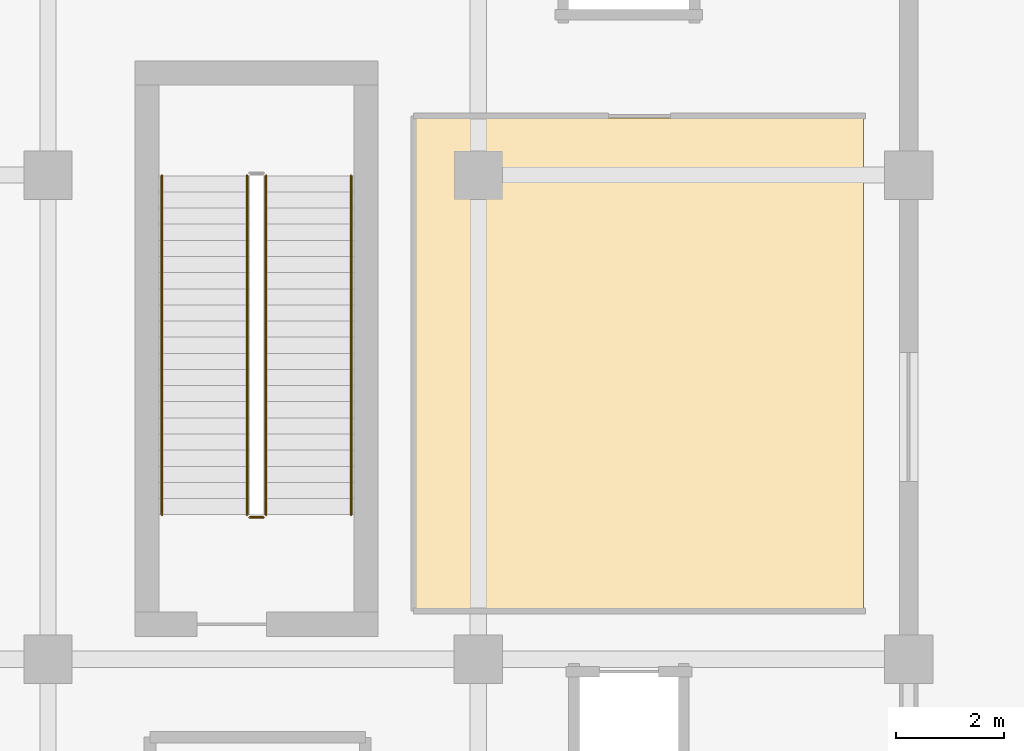
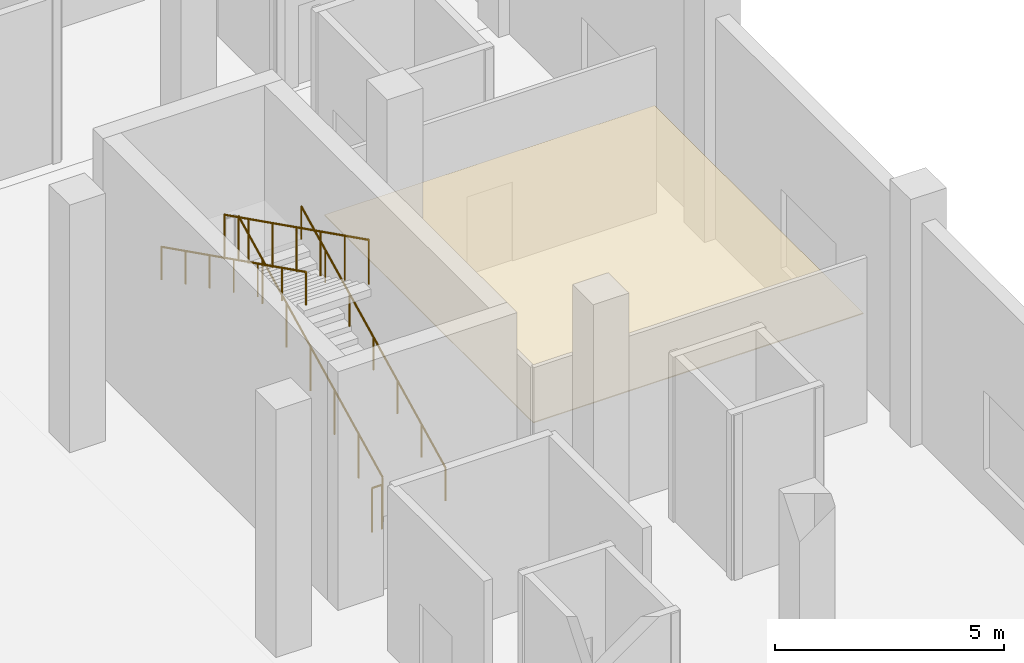
# One storey, part 61 of 65: 5 railings, 1 covering.
"""IFC4 building model written with IfcOpenShell, lengths in metres."""

from ifc_helpers import new_model, si_unit, direction, frame, origin, origin_2d, place, context, subcontext, project, spatial, polyline, circle, outline, extrude, material, layer, layer_set, type_object, element, save


model = new_model("IFC4")

# Units and contexts
model_context = context("Model", 3, precision=1e-05, world=origin(), true_north=direction((0.0, 1.0)))
body_context = subcontext(model_context, "Body", "Model", "MODEL_VIEW")
ifc_project = project(units=[si_unit("LENGTHUNIT", "METRE"), si_unit("AREAUNIT", "SQUARE_METRE"), si_unit("VOLUMEUNIT", "CUBIC_METRE"), si_unit("PLANEANGLEUNIT", "RADIAN"), si_unit("MASSUNIT", "GRAM", prefix="KILO")], contexts=[model_context])

# Site, building, storey
site_placement = place(None, origin())
site = spatial("IfcSite", under=ifc_project, at=site_placement, CompositionType="ELEMENT")
building_placement = place(site_placement, origin())
building = spatial("IfcBuilding", under=site, at=building_placement, Name="Chuanluo Vaults Station", CompositionType="ELEMENT")
storey_placement = place(building_placement, origin())
storey = spatial("IfcBuildingStorey", under=building, at=storey_placement, Name="L00", CompositionType="ELEMENT", Elevation=0.0)

# Covering
ifc_material_1 = material(Name="Acoustic mineral-fibre tile")
ifc_layer = layer(ifc_material_1, 0.02490234375)
ifc_layer_set = layer_set([ifc_layer], Name="Acoustic mineral-fibre tile")
covering_type = type_object("IfcCoveringType", Name="COV-CEIL-TILE", PredefinedType="CEILING", material=ifc_layer_set)
covering_placement = place(storey_placement, frame((0.0, 0.0, 2.85009765625)))
element("IfcCovering", 1, at=covering_placement, inside=storey, type_object=covering_type, Name="L00-31 suspended acoustic ceiling", PredefinedType="CEILING", context=body_context, shape_type="SweptSolid", body=[
    extrude(outline(polyline([(178.840087890625, 86.43994140625), (187.159912109375, 86.43994140625), (187.159912109375, 95.56005859375), (178.840087890625, 95.56005859375), (178.840087890625, 86.43994140625)])), origin(), (0.0, 0.0, 1.0), 0.02490234375),
])

# Railings
ifc_material_2 = material(Name="Tempered laminated balustrade glass", Category="glass")
railing_type_1 = type_object("IfcRailingType", Name="RLG-GUARD-1200", PredefinedType="BALUSTRADE", material=ifc_material_2)
railing_1_placement = place(storey_placement, frame((176.052490234375, 88.1875, 0.14990234375)))
element("IfcRailing", 2, at=railing_1_placement, inside=storey, type_object=railing_type_1, Name="L00 ST-01 stair guard 1", PredefinedType="BALUSTRADE", context=body_context, shape_type="SweptSolid", body=[
    extrude(circle(Radius=0.02392578125, at=origin_2d()), frame((0.0, 0.0, 1.17578125), z_axis=(0.0, 0.894420258746, 0.44722745974), x_axis=(-1.0, 0.0, 0.0)), (0.0, 0.0, 1.0), 7.043701171875),
    extrude(circle(Radius=0.02099609375, at=origin_2d()), origin(), (0.0, 0.0, 1.0), 1.15185546875),
    extrude(circle(Radius=0.02099609375, at=origin_2d()), frame((0.0, 1.050048828125, 0.52490234375)), (0.0, 0.0, 1.0), 1.15185546875),
    extrude(circle(Radius=0.02099609375, at=origin_2d()), frame((0.0, 2.10009765625, 1.050048828125)), (0.0, 0.0, 1.0), 1.15185546875),
    extrude(circle(Radius=0.02099609375, at=origin_2d()), frame((0.0, 3.14990234375, 1.5751953125)), (0.0, 0.0, 1.0), 1.15185546875),
    extrude(circle(Radius=0.02099609375, at=origin_2d()), frame((0.0, 4.199951171875, 2.10009765625)), (0.0, 0.0, 1.0), 1.15185546875),
    extrude(circle(Radius=0.02099609375, at=origin_2d()), frame((0.0, 5.25, 2.625)), (0.0, 0.0, 1.0), 1.15185546875),
    extrude(circle(Radius=0.02099609375, at=origin_2d()), frame((0.0, 6.300048828125, 3.150146484375)), (0.0, 0.0, 1.0), 1.15185546875),
])
railing_2_placement = place(storey_placement, frame((175.702392578125, 94.487548828125, 3.449951171875)))
element("IfcRailing", 3, at=railing_2_placement, inside=storey, type_object=railing_type_1, Name="L00 ST-01 stair guard 3", PredefinedType="BALUSTRADE", context=body_context, shape_type="SweptSolid", body=[
    extrude(circle(Radius=0.02392578125, at=origin_2d()), frame((0.0, 0.0, 1.17578125), z_axis=(0.0, -0.894420258746, 0.44722745974), x_axis=(1.0, 0.0, 0.0)), (0.0, 0.0, 1.0), 7.043701171875),
    extrude(circle(Radius=0.02099609375, at=origin_2d()), origin(), (0.0, 0.0, 1.0), 1.15185546875),
    extrude(circle(Radius=0.02099609375, at=origin_2d()), frame((0.0, -1.050048828125, 0.52490234375)), (0.0, 0.0, 1.0), 1.15185546875),
    extrude(circle(Radius=0.02099609375, at=origin_2d()), frame((0.0, -2.10009765625, 1.050048828125)), (0.0, 0.0, 1.0), 1.15185546875),
    extrude(circle(Radius=0.02099609375, at=origin_2d()), frame((0.0, -3.14990234375, 1.5751953125)), (0.0, 0.0, 1.0), 1.15185546875),
    extrude(circle(Radius=0.02099609375, at=origin_2d()), frame((0.0, -4.199951171875, 2.10009765625)), (0.0, 0.0, 1.0), 1.15185546875),
    extrude(circle(Radius=0.02099609375, at=origin_2d()), frame((0.0, -5.25, 2.625)), (0.0, 0.0, 1.0), 1.15185546875),
    extrude(circle(Radius=0.02099609375, at=origin_2d()), frame((0.0, -6.300048828125, 3.150146484375)), (0.0, 0.0, 1.0), 1.15185546875),
])
railing_3_placement = place(storey_placement, frame((176.00244140625, 88.137451171875, 0.0)))
element("IfcRailing", 4, at=railing_3_placement, inside=storey, type_object=railing_type_1, Name="L00 ST-01 stair guard 4", PredefinedType="BALUSTRADE", context=body_context, shape_type="SweptSolid", body=[
    extrude(circle(Radius=0.02392578125, at=origin_2d()), frame((0.0, 0.0, 1.17578125), z_axis=(-1.0, 0.0, 0.0), x_axis=(0.0, -1.0, 0.0)), (0.0, 0.0, 1.0), 0.25),
    extrude(circle(Radius=0.02099609375, at=origin_2d()), origin(), (0.0, 0.0, 1.0), 1.15185546875),
    extrude(circle(Radius=0.02099609375, at=origin_2d()), frame((-0.25, 0.0, 0.0)), (0.0, 0.0, 1.0), 1.15185546875),
])
ifc_material_3 = material(Name="Brushed stainless steel 304", Category="steel")
railing_type_2 = type_object("IfcRailingType", Name="RLG-HAND-900", PredefinedType="HANDRAIL", material=ifc_material_3)
railing_4_placement = place(storey_placement, frame((177.637451171875, 88.1875, 0.14990234375)))
element("IfcRailing", 5, at=railing_4_placement, inside=storey, type_object=railing_type_2, Name="L00 ST-01 stair handrail 1", PredefinedType="HANDRAIL", context=body_context, shape_type="SweptSolid", body=[
    extrude(circle(Radius=0.02392578125, at=origin_2d()), frame((0.0, 0.0, 0.8759765625), z_axis=(0.0, 0.894420258746, 0.44722745974), x_axis=(-1.0, 0.0, 0.0)), (0.0, 0.0, 1.0), 7.043701171875),
    extrude(circle(Radius=0.02099609375, at=origin_2d()), origin(), (0.0, 0.0, 1.0), 0.851806640625),
    extrude(circle(Radius=0.02099609375, at=origin_2d()), frame((0.0, 1.050048828125, 0.52490234375)), (0.0, 0.0, 1.0), 0.851806640625),
    extrude(circle(Radius=0.02099609375, at=origin_2d()), frame((0.0, 2.10009765625, 1.050048828125)), (0.0, 0.0, 1.0), 0.851806640625),
    extrude(circle(Radius=0.02099609375, at=origin_2d()), frame((0.0, 3.14990234375, 1.5751953125)), (0.0, 0.0, 1.0), 0.851806640625),
    extrude(circle(Radius=0.02099609375, at=origin_2d()), frame((0.0, 4.199951171875, 2.10009765625)), (0.0, 0.0, 1.0), 0.851806640625),
    extrude(circle(Radius=0.02099609375, at=origin_2d()), frame((0.0, 5.25, 2.625)), (0.0, 0.0, 1.0), 0.851806640625),
    extrude(circle(Radius=0.02099609375, at=origin_2d()), frame((0.0, 6.300048828125, 3.150146484375)), (0.0, 0.0, 1.0), 0.851806640625),
])
railing_5_placement = place(storey_placement, frame((174.117431640625, 94.487548828125, 3.449951171875)))
element("IfcRailing", 6, at=railing_5_placement, inside=storey, type_object=railing_type_2, Name="L00 ST-01 stair handrail 2", PredefinedType="HANDRAIL", context=body_context, shape_type="SweptSolid", body=[
    extrude(circle(Radius=0.02392578125, at=origin_2d()), frame((0.0, 0.0, 0.8759765625), z_axis=(0.0, -0.894420258746, 0.44722745974), x_axis=(1.0, 0.0, 0.0)), (0.0, 0.0, 1.0), 7.043701171875),
    extrude(circle(Radius=0.02099609375, at=origin_2d()), origin(), (0.0, 0.0, 1.0), 0.851806640625),
    extrude(circle(Radius=0.02099609375, at=origin_2d()), frame((0.0, -1.050048828125, 0.52490234375)), (0.0, 0.0, 1.0), 0.851806640625),
    extrude(circle(Radius=0.02099609375, at=origin_2d()), frame((0.0, -2.10009765625, 1.050048828125)), (0.0, 0.0, 1.0), 0.851806640625),
    extrude(circle(Radius=0.02099609375, at=origin_2d()), frame((0.0, -3.14990234375, 1.5751953125)), (0.0, 0.0, 1.0), 0.851806640625),
    extrude(circle(Radius=0.02099609375, at=origin_2d()), frame((0.0, -4.199951171875, 2.10009765625)), (0.0, 0.0, 1.0), 0.851806640625),
    extrude(circle(Radius=0.02099609375, at=origin_2d()), frame((0.0, -5.25, 2.625)), (0.0, 0.0, 1.0), 0.851806640625),
    extrude(circle(Radius=0.02099609375, at=origin_2d()), frame((0.0, -6.300048828125, 3.150146484375)), (0.0, 0.0, 1.0), 0.851806640625),
])

save(model, "model.ifc")
